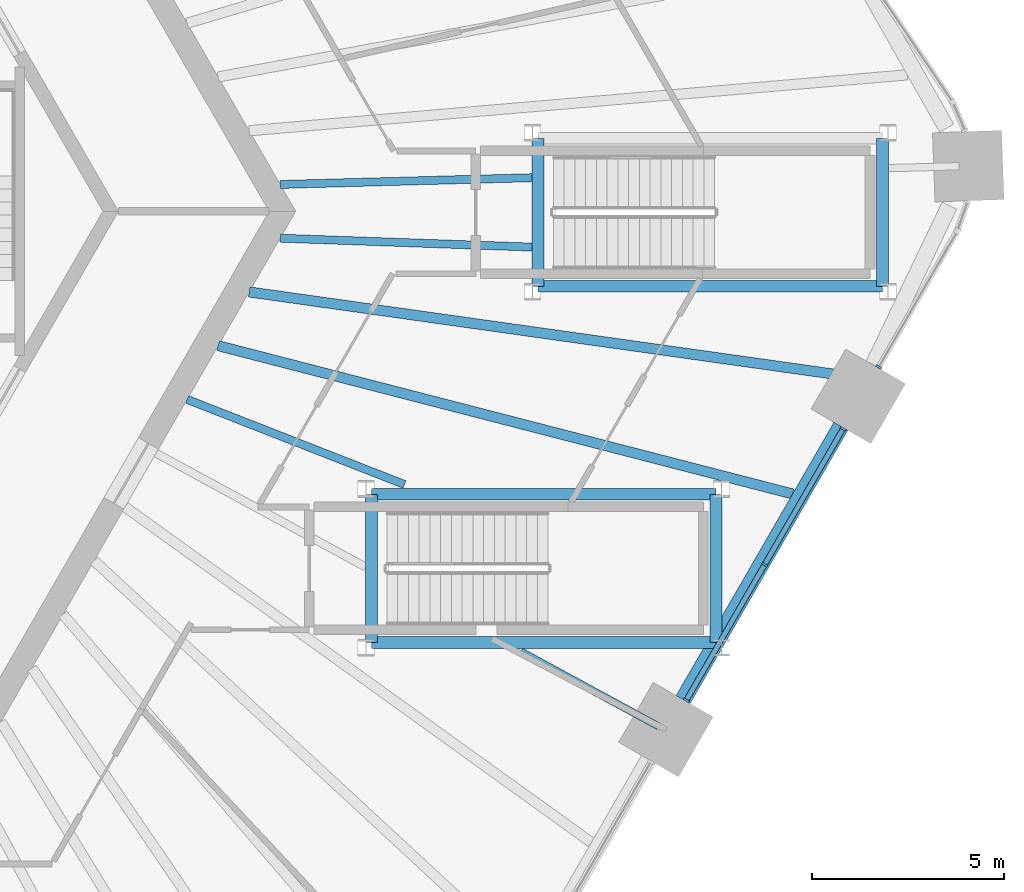
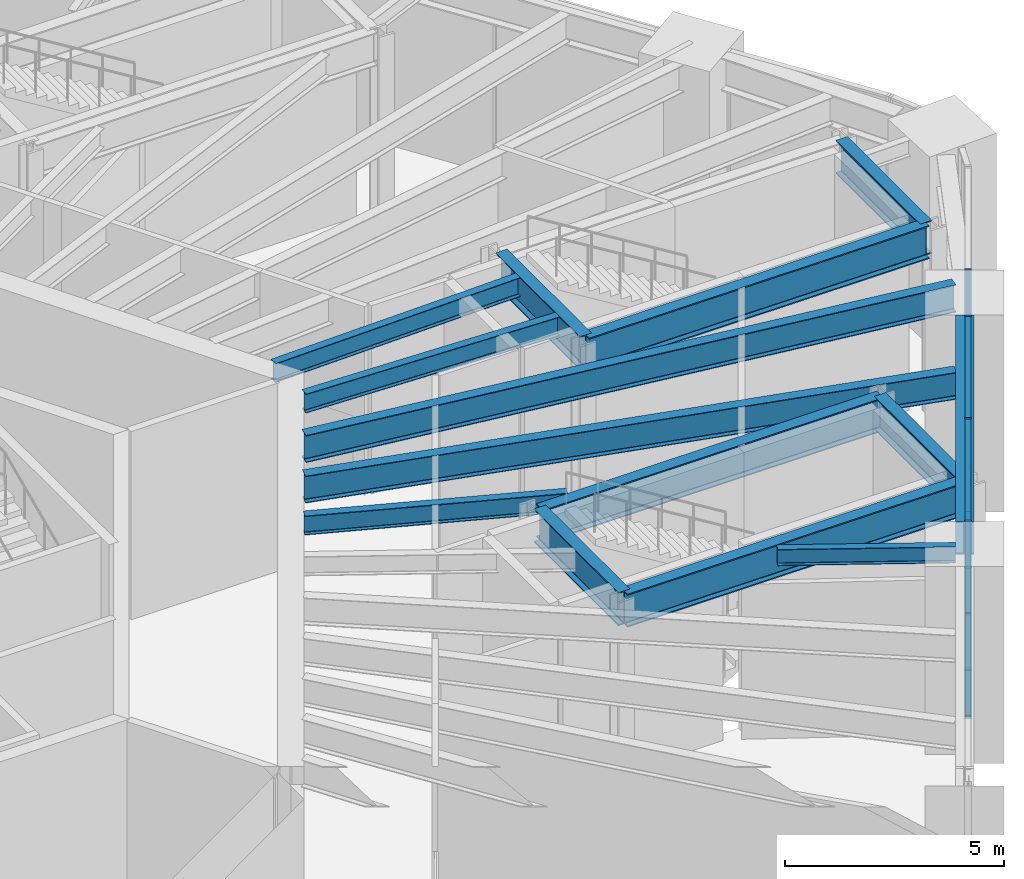
# One storey, part 6 of 30: 14 beams, 8 members, 2 elements without a shape of their own.
"""IFC4 building model written with IfcOpenShell, lengths in metres."""

from ifc_helpers import new_model, si_unit, direction, frame, origin, origin_2d, place, context, subcontext, project, spatial, rectangle, i_section, extrude, material, material_profile, profile_set, type_object, element, aggregate, save


model = new_model("IFC4")

# Units and contexts
model_context = context("Model", 3, precision=1e-05, world=origin(), true_north=direction((0.0, 1.0)))
body_context = subcontext(model_context, "Body", "Model", "MODEL_VIEW")
ifc_project = project(units=[si_unit("LENGTHUNIT", "METRE"), si_unit("AREAUNIT", "SQUARE_METRE"), si_unit("VOLUMEUNIT", "CUBIC_METRE"), si_unit("PLANEANGLEUNIT", "RADIAN"), si_unit("MASSUNIT", "GRAM", prefix="KILO")], contexts=[model_context])

# Site, building, storey
site_placement = place(None, origin())
site = spatial("IfcSite", under=ifc_project, at=site_placement, CompositionType="ELEMENT")
building_placement = place(site_placement, origin())
building = spatial("IfcBuilding", under=site, at=building_placement, Name="Tarnside Tower", CompositionType="ELEMENT")
storey_placement = place(building_placement, frame((0.0, 0.0, 20.5)))
storey = spatial("IfcBuildingStorey", under=building, at=storey_placement, Name="L03", CompositionType="ELEMENT", Elevation=20.5)

# Beams
ifc_material_1 = material(Name="Steel S355", Category="steel")
ifc_material_profile_1 = material_profile(ifc_material_1, i_section(OverallWidth=0.18994140625, OverallDepth=0.453369140625, WebThickness=0.008544921875, FlangeThickness=0.0126953125, FilletRadius=0.01025390625, at=origin_2d()), Name="UB 457x191x67")
ifc_profile_set_1 = profile_set([ifc_material_profile_1], Name="Steel S355")
beam_type_1 = type_object("IfcBeamType", Name="Floor beam UB 457x191x67", PredefinedType="BEAM", material=ifc_profile_set_1)
beam_1_placement = place(storey_placement, frame((25.614013671875, -13.41455078125, 5.023193359375), z_axis=(-0.878558909546, 0.477634004712, 0.0), x_axis=(-0.477634004712, -0.878558909546, 0.0)))
element("IfcBeam", 1, at=beam_1_placement, inside=storey, type_object=beam_type_1, Name="Floor beam F5.05a", PredefinedType="BEAM", context=body_context, shape_type="SweptSolid", body=[
    extrude(i_section(OverallWidth=0.18994140625, OverallDepth=0.453369140625, WebThickness=0.008544921875, FlangeThickness=0.0126953125, FilletRadius=0.01025390625, at=origin_2d()), origin(), (0.0, 0.0, 1.0), 4.07373046875),
])
ifc_material_profile_2 = material_profile(ifc_material_1, i_section(OverallWidth=0.209228515625, OverallDepth=0.533203125, WebThickness=0.010009765625, FlangeThickness=0.015625, FilletRadius=0.0126953125, at=origin_2d()), Name="UB 533x210x92")
ifc_profile_set_2 = profile_set([ifc_material_profile_2], Name="Steel S355")
beam_type_2 = type_object("IfcBeamType", Name="Floor beam UB 533x210x92", PredefinedType="BEAM", material=ifc_profile_set_2)
beam_2_placement = place(storey_placement, frame((18.997802734375, -7.115234375, 4.9833984375), z_axis=(-0.931231520791, 0.364428120053, 0.0), x_axis=(-0.364428120053, -0.931231520791, 0.0)))
element("IfcBeam", 2, at=beam_2_placement, inside=storey, type_object=beam_type_2, Name="Floor beam F5.06", PredefinedType="BEAM", context=body_context, shape_type="SweptSolid", body=[
    extrude(i_section(OverallWidth=0.209228515625, OverallDepth=0.533203125, WebThickness=0.010009765625, FlangeThickness=0.015625, FilletRadius=0.0126953125, at=origin_2d()), origin(), (0.0, 0.0, 1.0), 6.078857421875),
])
beam_3_placement = place(storey_placement, frame((22.322265625, -0.931396484375, 4.9833984375), z_axis=(-0.999378299025, 0.035256424065, 0.0), x_axis=(-0.035256424065, -0.999378299025, 0.0)))
element("IfcBeam", 3, at=beam_3_placement, inside=storey, type_object=beam_type_2, Name="Floor beam F5.09", PredefinedType="BEAM", context=body_context, shape_type="SweptSolid", body=[
    extrude(i_section(OverallWidth=0.209228515625, OverallDepth=0.533203125, WebThickness=0.010009765625, FlangeThickness=0.015625, FilletRadius=0.0126953125, at=origin_2d()), origin(), (0.0, 0.0, 1.0), 6.564697265625),
])
beam_4_placement = place(storey_placement, frame((22.322265625, 0.876220703125, 4.9833984375), z_axis=(-0.999639247492, -0.026858422771, 0.0), x_axis=(0.026858422771, -0.999639247492, 0.0)))
element("IfcBeam", 4, at=beam_4_placement, inside=storey, type_object=beam_type_2, Name="Floor beam C5b", PredefinedType="BEAM", context=body_context, shape_type="SweptSolid", body=[
    extrude(i_section(OverallWidth=0.209228515625, OverallDepth=0.533203125, WebThickness=0.010009765625, FlangeThickness=0.015625, FilletRadius=0.0126953125, at=origin_2d()), origin(), (0.0, 0.0, 1.0), 6.56298828125),
])
ifc_material_profile_3 = material_profile(ifc_material_1, i_section(OverallWidth=0.26513671875, OverallDepth=0.75390625, WebThickness=0.0126953125, FlangeThickness=0.017578125, FilletRadius=0.0166015625, at=origin_2d()), Name="UB 762x267x147")
ifc_profile_set_3 = profile_set([ifc_material_profile_3], Name="Steel S355")
beam_type_3 = type_object("IfcBeamType", Name="Floor beam UB 762x267x147", PredefinedType="BEAM", material=ifc_profile_set_3)
beam_5_placement = place(storey_placement, frame((29.108642578125, -7.36181640625, 4.873046875), z_axis=(-0.968273624565, 0.249892352766, 0.0), x_axis=(-0.249892352766, -0.968273624565, 0.0)))
element("IfcBeam", 5, at=beam_5_placement, inside=storey, type_object=beam_type_3, Name="Floor beam F5.07", PredefinedType="BEAM", context=body_context, shape_type="SweptSolid", body=[
    extrude(i_section(OverallWidth=0.26513671875, OverallDepth=0.75390625, WebThickness=0.0126953125, FlangeThickness=0.017578125, FilletRadius=0.0166015625, at=origin_2d()), origin(), (0.0, 0.0, 1.0), 15.453857421875),
])
ifc_material_profile_4 = material_profile(ifc_material_1, i_section(OverallWidth=0.2666015625, OverallDepth=0.76220703125, WebThickness=0.014404296875, FlangeThickness=0.021484375, FilletRadius=0.0166015625, at=origin_2d()), Name="UB 762x267x173")
ifc_profile_set_4 = profile_set([ifc_material_profile_4], Name="Steel S355")
beam_type_4 = type_object("IfcBeamType", Name="Floor beam UB 762x267x173", PredefinedType="BEAM", material=ifc_profile_set_4)
beam_6_placement = place(storey_placement, frame((30.820068359375, -4.330078125, 4.868896484375), z_axis=(-0.99026754132, 0.139176853707, 0.0), x_axis=(-0.139176853707, -0.99026754132, 0.0)))
element("IfcBeam", 6, at=beam_6_placement, inside=storey, type_object=beam_type_4, Name="Floor beam F5.08", PredefinedType="BEAM", context=body_context, shape_type="SweptSolid", body=[
    extrude(i_section(OverallWidth=0.2666015625, OverallDepth=0.76220703125, WebThickness=0.014404296875, FlangeThickness=0.021484375, FilletRadius=0.0166015625, at=origin_2d()), origin(), (0.0, 0.0, 1.0), 16.022705078125),
])
ifc_material_profile_5 = material_profile(ifc_material_1, i_section(OverallWidth=0.3076171875, OverallDepth=0.926513671875, WebThickness=0.01953125, FlangeThickness=0.031982421875, FilletRadius=0.01904296875, at=origin_2d()), Name="UB 914x305x289")
ifc_profile_set_5 = profile_set([ifc_material_profile_5], Name="Steel S355")
beam_type_5 = type_object("IfcBeamType", Name="Perimeter girder UB 914x305x289", PredefinedType="BEAM", material=ifc_profile_set_5)
beam_7_placement = place(storey_placement, frame((31.453857421875, 1.90380859375, 4.78662109375), z_axis=(0.0, -1.0, 0.0), x_axis=(1.0, 0.0, 0.0)))
element("IfcBeam", 7, at=beam_7_placement, inside=storey, type_object=beam_type_5, Name="Perimeter girder T9", PredefinedType="BEAM", context=body_context, shape_type="SweptSolid", body=[
    extrude(i_section(OverallWidth=0.3076171875, OverallDepth=0.926513671875, WebThickness=0.01953125, FlangeThickness=0.031982421875, FilletRadius=0.01904296875, at=origin_2d()), origin(), (0.0, 0.0, 1.0), 3.857666015625),
])
beam_8_placement = place(storey_placement, frame((31.453857421875, -1.953857421875, 4.78662109375), z_axis=(-1.0, 0.0, 0.0), x_axis=(0.0, -1.0, 0.0)))
element("IfcBeam", 8, at=beam_8_placement, inside=storey, type_object=beam_type_5, Name="Perimeter girder T10", PredefinedType="BEAM", context=body_context, shape_type="SweptSolid", body=[
    extrude(i_section(OverallWidth=0.3076171875, OverallDepth=0.926513671875, WebThickness=0.01953125, FlangeThickness=0.031982421875, FilletRadius=0.01904296875, at=origin_2d()), origin(), (0.0, 0.0, 1.0), 8.9775390625),
])
for number, where, z_axis, x_axis, name in (
    (9, (22.476318359375, -1.953857421875, 4.78662109375), (0.0, 1.0, 0.0), (-1.0, 0.0, 0.0), "Perimeter girder T11"),
    (10, (27.11376953125, -7.37109375, 4.78662109375), (0.0, -1.0, 0.0), (1.0, 0.0, 0.0), "Perimeter girder T17"),
):
    element("IfcBeam", number, at=place(storey_placement, frame(where, z_axis=z_axis, x_axis=x_axis)), inside=storey, type_object=beam_type_5, Name=name, PredefinedType="BEAM", context=body_context, shape_type="SweptSolid", body=[
        extrude(i_section(OverallWidth=0.3076171875, OverallDepth=0.926513671875, WebThickness=0.01953125, FlangeThickness=0.031982421875, FilletRadius=0.01904296875, at=origin_2d()), origin(), (0.0, 0.0, 1.0), 3.857666015625),
    ])
beam_9_placement = place(storey_placement, frame((27.11376953125, -11.228759765625, 4.78662109375), z_axis=(-1.0, 0.0, 0.0), x_axis=(0.0, -1.0, 0.0)))
element("IfcBeam", 11, at=beam_9_placement, inside=storey, type_object=beam_type_5, Name="Perimeter girder T18", PredefinedType="BEAM", context=body_context, shape_type="SweptSolid", body=[
    extrude(i_section(OverallWidth=0.3076171875, OverallDepth=0.926513671875, WebThickness=0.01953125, FlangeThickness=0.031982421875, FilletRadius=0.01904296875, at=origin_2d()), origin(), (0.0, 0.0, 1.0), 8.9775390625),
])
beam_10_placement = place(storey_placement, frame((18.13623046875, -11.228759765625, 4.78662109375), z_axis=(0.0, 1.0, 0.0), x_axis=(-1.0, 0.0, 0.0)))
element("IfcBeam", 12, at=beam_10_placement, inside=storey, type_object=beam_type_5, Name="Perimeter girder T19", PredefinedType="BEAM", context=body_context, shape_type="SweptSolid", body=[
    extrude(i_section(OverallWidth=0.3076171875, OverallDepth=0.926513671875, WebThickness=0.01953125, FlangeThickness=0.031982421875, FilletRadius=0.01904296875, at=origin_2d()), origin(), (0.0, 0.0, 1.0), 3.857666015625),
])
beam_11_placement = place(storey_placement, frame((18.13623046875, -7.37109375, 4.78662109375), z_axis=(1.0, 0.0, 0.0), x_axis=(0.0, 1.0, 0.0)))
element("IfcBeam", 13, at=beam_11_placement, inside=storey, type_object=beam_type_5, Name="Perimeter girder T20", PredefinedType="BEAM", context=body_context, shape_type="SweptSolid", body=[
    extrude(i_section(OverallWidth=0.3076171875, OverallDepth=0.926513671875, WebThickness=0.01953125, FlangeThickness=0.031982421875, FilletRadius=0.01904296875, at=origin_2d()), origin(), (0.0, 0.0, 1.0), 8.9775390625),
])
ifc_material_2 = material(Name="Steel S460", Category="steel")
ifc_material_profile_6 = material_profile(ifc_material_2, i_section(OverallWidth=0.42041015625, OverallDepth=0.9208984375, WebThickness=0.021484375, FlangeThickness=0.03662109375, FilletRadius=0.024169921875, at=origin_2d()), Name="UB 914x419x388")
ifc_profile_set_6 = profile_set([ifc_material_profile_6], Name="Steel S460")
beam_type_6 = type_object("IfcBeamType", Name="Perimeter girder UB 914x419x388", PredefinedType="BEAM", material=ifc_profile_set_6)
beam_12_placement = place(storey_placement, frame((26.2568359375, -12.7216796875, 4.78955078125), z_axis=(0.500002567197, 0.866023921607, 0.0), x_axis=(-0.866023921607, 0.500002567197, 0.0)))
element("IfcBeam", 14, at=beam_12_placement, inside=storey, type_object=beam_type_6, Name="Perimeter girder M18", PredefinedType="BEAM", context=body_context, shape_type="SweptSolid", body=[
    extrude(i_section(OverallWidth=0.42041015625, OverallDepth=0.9208984375, WebThickness=0.021484375, FlangeThickness=0.03662109375, FilletRadius=0.024169921875, at=origin_2d()), origin(), (0.0, 0.0, 1.0), 8.2236328125),
])

# Curtain wall, members
ifc_material_3 = material(Name="Retail shopfront glazing wall", Category="glass")
curtain_wall_type = type_object("IfcCurtainWallType", Name="Retail shopfront glazing wall", PredefinedType="NOTDEFINED", material=ifc_material_3)
curtain_wall_1_placement = place(storey_placement, origin())
curtain_wall_1 = element("IfcCurtainWall", 15, at=curtain_wall_1_placement, inside=storey, type_object=curtain_wall_type, Name="Retail shopfront glazing L03 17.0", PredefinedType="NOTDEFINED")
ifc_material_4 = material(Name="Aluminium alloy 6063", Category="aluminium")
ifc_material_profile_7 = material_profile(ifc_material_4, rectangle(XDim=0.159912109375, YDim=0.06005859375, at=origin_2d()), Name="Retail shopfront glazing mullion 60 x 160")
ifc_profile_set_7 = profile_set([ifc_material_profile_7], Name="Aluminium alloy 6063")
member_type_1 = type_object("IfcMemberType", Name="Retail shopfront glazing mullion 60 x 160", PredefinedType="MULLION", material=ifc_profile_set_7)
member_1_placement = place(storey_placement, frame((26.341064453125, -12.73583984375, -0.25), z_axis=(0.0, 0.0, 1.0), x_axis=(-0.866025403741, 0.500000000076, 0.0)))
member_1 = element("IfcMember", 16, at=member_1_placement, type_object=member_type_1, Name="CW2 mullion 1", PredefinedType="MULLION", context=body_context, shape_type="SweptSolid", body=[
    extrude(rectangle(XDim=0.159912109375, YDim=0.06005859375, at=origin_2d()), origin(), (0.0, 0.0, 1.0), 5.5),
])
member_2_placement = place(storey_placement, frame((28.382080078125, -9.20068359375, -0.25), z_axis=(0.0, 0.0, 1.0), x_axis=(-0.866025403741, 0.500000000076, 0.0)))
member_2 = element("IfcMember", 17, at=member_2_placement, type_object=member_type_1, Name="CW2 mullion 2", PredefinedType="MULLION", context=body_context, shape_type="SweptSolid", body=[
    extrude(rectangle(XDim=0.159912109375, YDim=0.06005859375, at=origin_2d()), origin(), (0.0, 0.0, 1.0), 5.5),
])
member_3_placement = place(storey_placement, frame((30.423095703125, -5.665771484375, -0.25), z_axis=(0.0, 0.0, 1.0), x_axis=(-0.866025403741, 0.500000000076, 0.0)))
member_3 = element("IfcMember", 18, at=member_3_placement, type_object=member_type_1, Name="CW2 mullion 3", PredefinedType="MULLION", context=body_context, shape_type="SweptSolid", body=[
    extrude(rectangle(XDim=0.159912109375, YDim=0.06005859375, at=origin_2d()), origin(), (0.0, 0.0, 1.0), 5.5),
])

# Curtain wall, member
curtain_wall_2_placement = place(storey_placement, origin())
curtain_wall_2 = element("IfcCurtainWall", 19, at=curtain_wall_2_placement, inside=storey, type_object=curtain_wall_type, Name="Retail shopfront glazing L03 18.0", PredefinedType="NOTDEFINED")
member_4_placement = place(storey_placement, frame((31.35302734375, -4.054931640625, -0.25), z_axis=(0.0, 0.0, 1.0), x_axis=(-0.866025403872, 0.499999999849, 0.0)))
member_4 = element("IfcMember", 20, at=member_4_placement, type_object=member_type_1, Name="CW2 mullion 1", PredefinedType="MULLION", context=body_context, shape_type="SweptSolid", body=[
    extrude(rectangle(XDim=0.159912109375, YDim=0.06005859375, at=origin_2d()), origin(), (0.0, 0.0, 1.0), 5.5),
])
aggregate(curtain_wall_2, [member_4])

# Member
ifc_material_profile_8 = material_profile(ifc_material_4, rectangle(XDim=0.139892578125, YDim=0.06005859375, at=origin_2d()), Name="Retail shopfront glazing transom 60 x 140")
ifc_profile_set_8 = profile_set([ifc_material_profile_8], Name="Aluminium alloy 6063")
member_type_2 = type_object("IfcMemberType", Name="Retail shopfront glazing transom 60 x 140", PredefinedType="USERDEFINED", material=ifc_profile_set_8)
member_5_placement = place(storey_placement, frame((26.356201171875, -12.709716796875, -0.219970703125), z_axis=(0.500023722852, 0.866011706956, 0.0), x_axis=(-0.866011706956, 0.500023722852, 0.0)))
member_5 = element("IfcMember", 21, at=member_5_placement, type_object=member_type_2, Name="CW2 transom 1.1", ObjectType="TRANSOM", PredefinedType="USERDEFINED", context=body_context, shape_type="SweptSolid", body=[
    extrude(rectangle(XDim=0.139892578125, YDim=0.06005859375, at=origin_2d()), origin(), (0.0, 0.0, 1.0), 4.021728515625),
])

member_6_placement = place(storey_placement, frame((26.356201171875, -12.709716796875, 5.219970703125), z_axis=(0.500023722852, 0.866011706956, 0.0), x_axis=(-0.866011706956, 0.500023722852, 0.0)))
member_6 = element("IfcMember", 22, at=member_6_placement, type_object=member_type_2, Name="CW2 transom 1.2", ObjectType="TRANSOM", PredefinedType="USERDEFINED", context=body_context, shape_type="SweptSolid", body=[
    extrude(rectangle(XDim=0.139892578125, YDim=0.06005859375, at=origin_2d()), origin(), (0.0, 0.0, 1.0), 4.021728515625),
])

member_7_placement = place(storey_placement, frame((28.39697265625, -9.1748046875, -0.219970703125), z_axis=(0.500023722852, 0.866011706956, 0.0), x_axis=(-0.866011706956, 0.500023722852, 0.0)))
member_7 = element("IfcMember", 23, at=member_7_placement, type_object=member_type_2, Name="CW2 transom 2.1", ObjectType="TRANSOM", PredefinedType="USERDEFINED", context=body_context, shape_type="SweptSolid", body=[
    extrude(rectangle(XDim=0.139892578125, YDim=0.06005859375, at=origin_2d()), origin(), (0.0, 0.0, 1.0), 4.021728515625),
])

member_8_placement = place(storey_placement, frame((28.39697265625, -9.1748046875, 5.219970703125), z_axis=(0.500023722852, 0.866011706956, 0.0), x_axis=(-0.866011706956, 0.500023722852, 0.0)))
member_8 = element("IfcMember", 24, at=member_8_placement, type_object=member_type_2, Name="CW2 transom 2.2", ObjectType="TRANSOM", PredefinedType="USERDEFINED", context=body_context, shape_type="SweptSolid", body=[
    extrude(rectangle(XDim=0.139892578125, YDim=0.06005859375, at=origin_2d()), origin(), (0.0, 0.0, 1.0), 4.021728515625),
])

aggregate(curtain_wall_1, [member_1, member_2, member_3, member_5, member_6, member_7, member_8])

save(model, "model.ifc")
